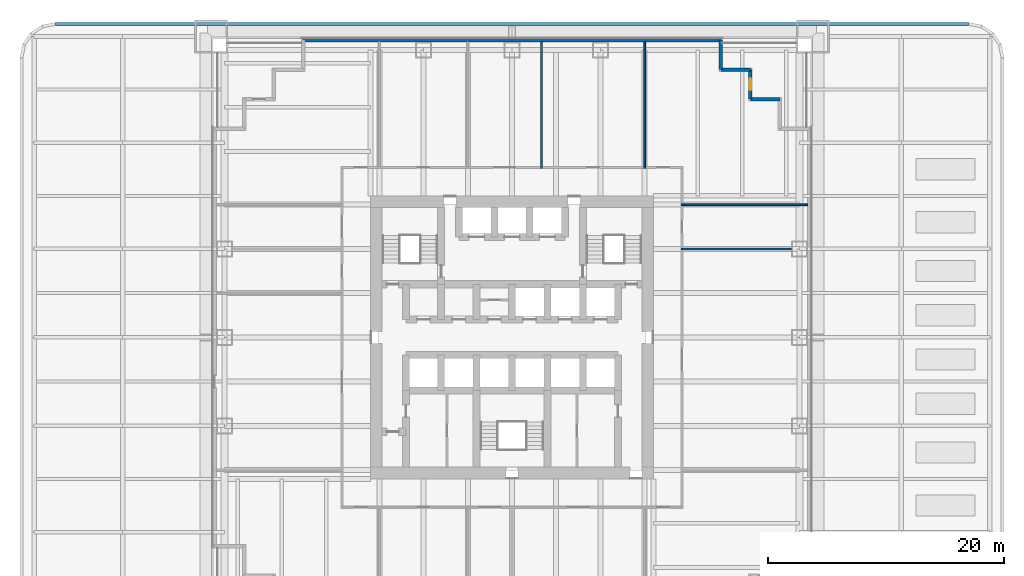
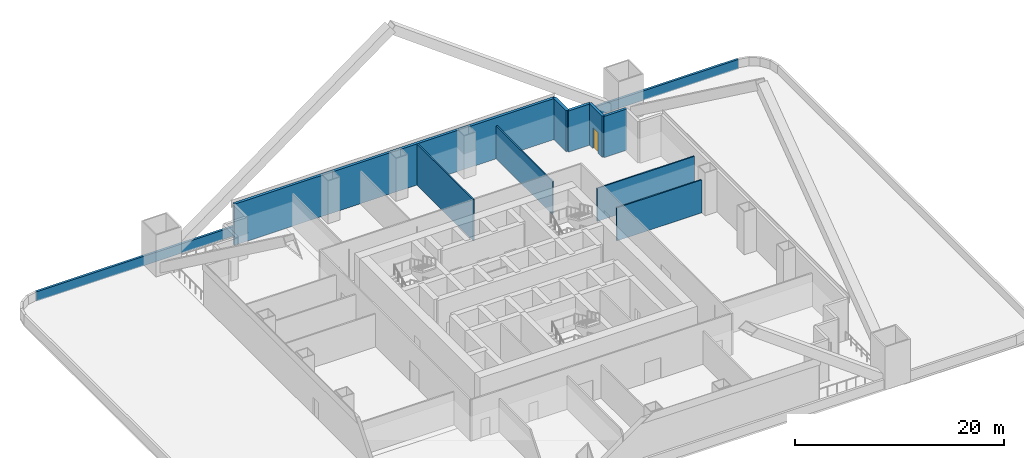
# One storey, part 7 of 10: 10 walls, 1 door, 1 opening.
"""IFC4 building model written with IfcOpenShell, lengths in metres."""

from ifc_helpers import new_model, si_unit, direction, frame, frame_2d, origin, place, context, subcontext, project, spatial, rectangle, extrude, material, layer, layer_set, type_object, element, fill, save


model = new_model("IFC4")

# Units and contexts
model_context = context("Model", 3, precision=1e-05, world=origin(), true_north=direction((0.0, 1.0)))
body_context = subcontext(model_context, "Body", "Model", "MODEL_VIEW")
ifc_project = project(units=[si_unit("LENGTHUNIT", "METRE"), si_unit("AREAUNIT", "SQUARE_METRE"), si_unit("VOLUMEUNIT", "CUBIC_METRE"), si_unit("PLANEANGLEUNIT", "RADIAN"), si_unit("MASSUNIT", "GRAM", prefix="KILO")], contexts=[model_context])

# Site, building, storey
site_placement = place(None, origin())
site = spatial("IfcSite", under=ifc_project, at=site_placement, CompositionType="ELEMENT")
building_placement = place(site_placement, origin())
building = spatial("IfcBuilding", under=site, at=building_placement, Name="Tarangal Relay Tower", CompositionType="ELEMENT")
storey_placement = place(building_placement, frame((0.0, 0.0, 23.39990234375)))
storey = spatial("IfcBuildingStorey", under=building, at=storey_placement, Name="L04", CompositionType="ELEMENT", Elevation=23.39990234375)

# Walls
ifc_material_1 = material(Name="Insulated precast concrete fc' 40 MPa", Category="concrete")
ifc_layer_1 = layer(ifc_material_1, 0.300048828125)
ifc_layer_set_1 = layer_set([ifc_layer_1], Name="Insulated precast concrete fc' 40 MPa")
wall_type_1 = type_object("IfcWallType", Name="Facade wall precast 300", PredefinedType="SOLIDWALL", material=ifc_layer_set_1)
wall_1_placement = place(storey_placement, frame((-17.699951171875, 25.199951171875, 0.0), z_axis=(0.0, 0.0, 1.0), x_axis=(1.0, 0.0, 0.0)))
element("IfcWall", 1, at=wall_1_placement, inside=storey, type_object=wall_type_1, Name="Facade wall N facade L04", PredefinedType="SOLIDWALL", context=body_context, shape_type="SweptSolid", body=[
    extrude(rectangle(XDim=35.39990234375, YDim=0.300048828125, at=frame_2d((17.699951171875, 0.0))), origin(), (0.0, 0.0, 1.0), 4.800048828125),
])
for number, where, z_axis, x_axis, name in (
    (2, (17.699951171875, 25.199951171875, 0.0), (0.0, 0.0, 1.0), (0.0, -1.0, 0.0), "Facade wall N facade L04"),
    (3, (17.699951171875, 22.699951171875, 0.0), (0.0, 0.0, 1.0), (1.0, 0.0, 0.0), "Facade wall N facade L04"),
):
    element("IfcWall", number, at=place(storey_placement, frame(where, z_axis=z_axis, x_axis=x_axis)), inside=storey, type_object=wall_type_1, Name=name, PredefinedType="SOLIDWALL", context=body_context, shape_type="SweptSolid", body=[
        extrude(rectangle(XDim=2.5, YDim=0.300048828125, at=frame_2d((1.25, 0.0))), origin(), (0.0, 0.0, 1.0), 4.800048828125),
    ])

# Wall, opening, door
wall_2_placement = place(storey_placement, frame((20.199951171875, 22.699951171875, 0.0), z_axis=(0.0, 0.0, 1.0), x_axis=(0.0, -1.0, 0.0)))
wall_2 = element("IfcWall", 4, at=wall_2_placement, inside=storey, type_object=wall_type_1, Name="Facade wall N facade L04", PredefinedType="SOLIDWALL", context=body_context, shape_type="SweptSolid", body=[
    extrude(rectangle(XDim=2.5, YDim=0.300048828125, at=frame_2d((1.25, 0.0))), origin(), (0.0, 0.0, 1.0), 4.800048828125),
])
opening_placement = place(wall_2_placement, frame((0.75, 0.0, 0.0)))
opening = element("IfcOpeningElement", 5, at=opening_placement, cuts=wall_2, Name="Opening TD1", PredefinedType="OPENING", context=body_context, shape_type="SweptSolid", body=[
    extrude(rectangle(XDim=1.0, YDim=2.39990234375, at=frame_2d((0.5, 1.199951171875))), frame((0.0, 0.159912109375, 0.0), z_axis=(0.0, -1.0, 0.0), x_axis=(1.0, 0.0, 0.0)), (0.0, 0.0, 1.0), 0.320068359375),
])
ifc_material_2 = material(Name="Aluminium glazed door", Category="aluminium")
door_type = type_object("IfcDoorType", Name="Terrace door 1000 x 2400", OperationType="SINGLE_SWING_RIGHT", PredefinedType="DOOR", material=ifc_material_2)
door_placement = place(opening_placement, origin())
door = element("IfcDoor", 6, at=door_placement, inside=storey, type_object=door_type, Name="Terrace door TD1 NE L04", OperationType="SINGLE_SWING_RIGHT", OverallHeight=2.39990234375, OverallWidth=1.0, PredefinedType="DOOR", context=body_context, shape_type="SweptSolid", body=[
    extrude(rectangle(XDim=1.0, YDim=2.39990234375, at=frame_2d((0.5, 1.199951171875))), frame((0.0, 0.02490234375, 0.0), z_axis=(0.0, -1.0, 0.0), x_axis=(1.0, 0.0, 0.0)), (0.0, 0.0, 1.0), 0.050048828125),
])
fill(opening, door)

# Walls
wall_3_placement = place(storey_placement, frame((20.199951171875, 20.199951171875, 0.0), z_axis=(0.0, 0.0, 1.0), x_axis=(1.0, 0.0, 0.0)))
element("IfcWall", 7, at=wall_3_placement, inside=storey, type_object=wall_type_1, Name="Facade wall N facade L04", PredefinedType="SOLIDWALL", context=body_context, shape_type="SweptSolid", body=[
    extrude(rectangle(XDim=2.5, YDim=0.300048828125, at=frame_2d((1.25, 0.0))), origin(), (0.0, 0.0, 1.0), 4.800048828125),
])
ifc_material_3 = material(Name="Concrete parapet with metal coping", Category="concrete")
ifc_layer_2 = layer(ifc_material_3, 0.25)
ifc_layer_set_2 = layer_set([ifc_layer_2], Name="Parapet 250")
wall_type_2 = type_object("IfcWallType", Name="Parapet 250", PredefinedType="PARAPET", material=ifc_layer_set_2)
wall_4_placement = place(storey_placement, frame((38.699951171875, 26.574951171875, 0.0), z_axis=(0.0, 0.0, 1.0), x_axis=(-1.0, 0.0, 0.0)))
element("IfcWall", 8, at=wall_4_placement, inside=storey, type_object=wall_type_2, Name="Podium roof parapet PP1", PredefinedType="PARAPET", context=body_context, shape_type="SweptSolid", body=[
    extrude(rectangle(XDim=77.39990234375, YDim=0.25, at=frame_2d((38.699951171875, 0.0))), origin(), (0.0, 0.0, 1.0), 1.10009765625),
])
ifc_material_4 = material(Name="Gypsum board on steel studs", Category="steel")
ifc_layer_3 = layer(ifc_material_4, 0.14990234375)
ifc_layer_set_3 = layer_set([ifc_layer_3], Name="Partition 150")
wall_type_3 = type_object("IfcWallType", Name="Partition 150", PredefinedType="PARTITIONING", material=ifc_layer_set_3)
wall_5_placement = place(storey_placement, frame((14.324951171875, 7.5, 0.0), z_axis=(0.0, 0.0, 1.0), x_axis=(1.0, 0.0, 0.0)))
element("IfcWall", 9, at=wall_5_placement, inside=storey, type_object=wall_type_3, Name="Partition PT1 L04", PredefinedType="PARTITIONING", context=body_context, shape_type="SweptSolid", body=[
    extrude(rectangle(XDim=9.364990234375, YDim=0.14990234375, at=frame_2d((4.6826171875, 0.0))), origin(), (0.0, 0.0, 1.0), 3.852783203125),
])
wall_6_placement = place(storey_placement, frame((14.324951171875, 11.25, 0.0), z_axis=(0.0, 0.0, 1.0), x_axis=(1.0, 0.0, 0.0)))
element("IfcWall", 10, at=wall_6_placement, inside=storey, type_object=wall_type_3, Name="Partition PT1 L04", PredefinedType="PARTITIONING", context=body_context, shape_type="SweptSolid", body=[
    extrude(rectangle(XDim=10.72509765625, YDim=0.14990234375, at=frame_2d((5.362548828125, 0.0))), origin(), (0.0, 0.0, 1.0), 3.852783203125),
])
wall_7_placement = place(storey_placement, frame((2.5, 14.324951171875, 0.0), z_axis=(0.0, 0.0, 1.0), x_axis=(0.0, 1.0, 0.0)))
element("IfcWall", 11, at=wall_7_placement, inside=storey, type_object=wall_type_3, Name="Partition PT1 L04", PredefinedType="PARTITIONING", context=body_context, shape_type="SweptSolid", body=[
    extrude(rectangle(XDim=10.72509765625, YDim=0.14990234375, at=frame_2d((5.362548828125, 0.0))), origin(), (0.0, 0.0, 1.0), 4.800048828125),
])
wall_8_placement = place(storey_placement, frame((11.25, 14.324951171875, 0.0), z_axis=(0.0, 0.0, 1.0), x_axis=(0.0, 1.0, 0.0)))
element("IfcWall", 12, at=wall_8_placement, inside=storey, type_object=wall_type_3, Name="Partition PT1 L04", PredefinedType="PARTITIONING", context=body_context, shape_type="SweptSolid", body=[
    extrude(rectangle(XDim=10.72509765625, YDim=0.14990234375, at=frame_2d((5.362548828125, 0.0))), origin(), (0.0, 0.0, 1.0), 3.852783203125),
])

save(model, "model.ifc")
